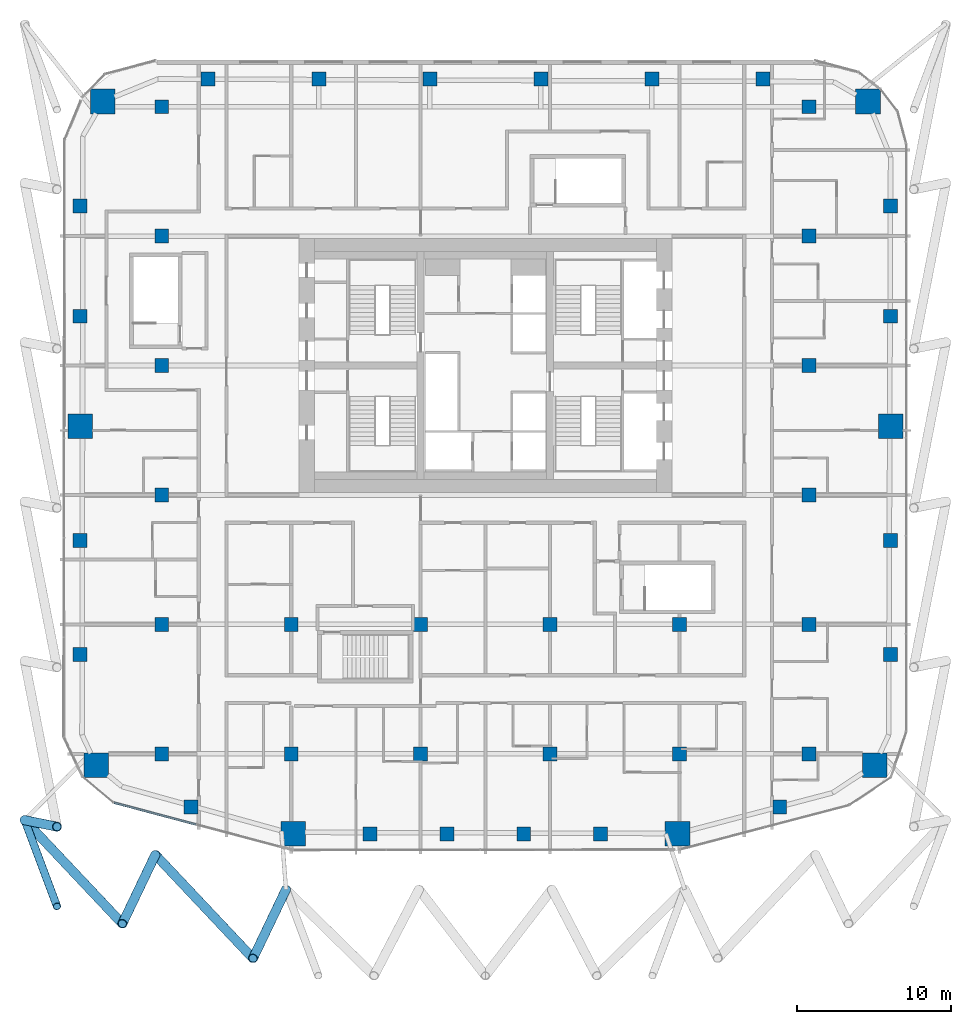
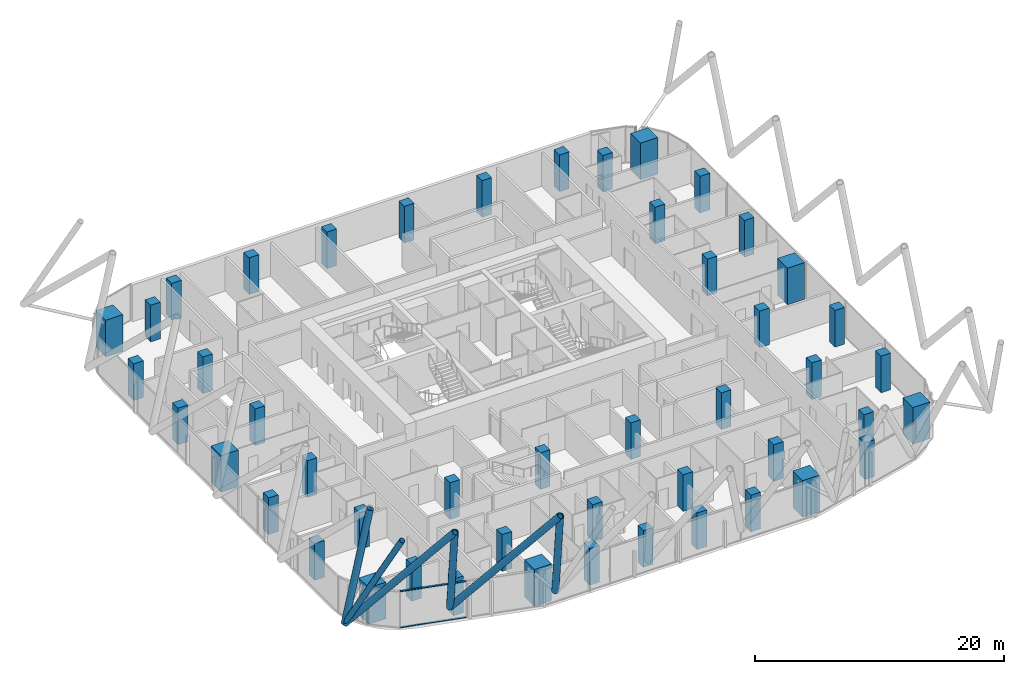
# One storey, part 1 of 34: 48 columns, 8 members, 1 element without a shape of its own.
"""IFC4 building model written with IfcOpenShell, lengths in metres."""

from ifc_helpers import new_model, si_unit, direction, frame, origin, origin_2d, place, context, subcontext, project, spatial, rectangle, hollow_circle, extrude, material, layer, layer_set, material_profile, profile_set, type_object, element, aggregate, save


model = new_model("IFC4")

# Units and contexts
model_context = context("Model", 3, precision=1e-05, world=origin(), true_north=direction((0.0, 1.0)))
body_context = subcontext(model_context, "Body", "Model", "MODEL_VIEW")
ifc_project = project(units=[si_unit("LENGTHUNIT", "METRE"), si_unit("AREAUNIT", "SQUARE_METRE"), si_unit("VOLUMEUNIT", "CUBIC_METRE"), si_unit("PLANEANGLEUNIT", "RADIAN"), si_unit("MASSUNIT", "GRAM", prefix="KILO")], contexts=[model_context])

# Site, building, storey
site_placement = place(None, origin())
site = spatial("IfcSite", under=ifc_project, at=site_placement, CompositionType="ELEMENT")
building_placement = place(site_placement, origin())
building = spatial("IfcBuilding", under=site, at=building_placement, Name="Marenta Gate Hotel Tower", CompositionType="ELEMENT")
storey_placement = place(building_placement, frame((0.0, 0.0, 166.10009765625)))
storey = spatial("IfcBuildingStorey", under=building, at=storey_placement, Name="L39", CompositionType="ELEMENT", Elevation=166.10009765625)

# Columns
ifc_material_1 = material(Name="Concrete C70", Category="concrete")
ifc_material_profile_1 = material_profile(ifc_material_1, rectangle(XDim=0.89990234375, YDim=0.89990234375, at=origin_2d()), Name="900 x 900")
ifc_profile_set_1 = profile_set([ifc_material_profile_1], Name="Concrete C70")
column_type_1 = type_object("IfcColumnType", Name="Edge column 900 x 900 C70", PredefinedType="COLUMN", material=ifc_profile_set_1)
for number, where, z_axis, x_axis, name in (
    (1, (-26.300048828125, -10.351806640625, 0.0), (0.0, 0.0, 1.0), (1.0, 0.0, 0.0), "L39-EC-SW-W-1"),
    (2, (-26.300048828125, -2.950927734375, 0.0), (0.0, 0.0, 1.0), (1.0, 0.0, 0.0), "L39-EC-SW-W-2"),
    (3, (-26.300048828125, 11.603271484375, 0.0), (0.0, 0.0, 1.0), (1.0, 0.0, 0.0), "L39-EC-W-NW-1"),
    (4, (-26.300048828125, 18.75634765625, 0.0), (0.0, 0.0, 1.0), (1.0, 0.0, 0.0), "L39-EC-W-NW-2"),
    (5, (-18.0068359375, 27.0, 0.0), (0.0, 0.0, 1.0), (1.0, 0.0, 0.0), "L39-EC-NW-NE-1"),
    (6, (-10.80419921875, 27.0, 0.0), (0.0, 0.0, 1.0), (1.0, 0.0, 0.0), "L39-EC-NW-NE-2"),
    (7, (-3.601318359375, 27.0, 0.0), (0.0, 0.0, 1.0), (1.0, 0.0, 0.0), "L39-EC-NW-NE-3"),
    (8, (3.601318359375, 27.0, 0.0), (0.0, 0.0, 1.0), (1.0, 0.0, 0.0), "L39-EC-NW-NE-4"),
    (9, (10.80419921875, 27.0, 0.0), (0.0, 0.0, 1.0), (1.0, 0.0, 0.0), "L39-EC-NW-NE-5"),
    (10, (18.0068359375, 27.0, 0.0), (0.0, 0.0, 1.0), (1.0, 0.0, 0.0), "L39-EC-NW-NE-6"),
    (11, (26.300048828125, 18.75634765625, 0.0), (0.0, 0.0, 1.0), (1.0, 0.0, 0.0), "L39-EC-NE-E-1"),
    (12, (26.300048828125, 11.603271484375, 0.0), (0.0, 0.0, 1.0), (1.0, 0.0, 0.0), "L39-EC-NE-E-2"),
    (13, (26.300048828125, -2.950927734375, 0.0), (0.0, 0.0, 1.0), (1.0, 0.0, 0.0), "L39-EC-E-SE-1"),
    (14, (26.300048828125, -10.351806640625, 0.0), (0.0, 0.0, 1.0), (1.0, 0.0, 0.0), "L39-EC-E-SE-2"),
    (15, (19.106689453125, -20.239013671875, 0.0), (0.0, 0.0, 1.0), (1.0, 0.0, 0.0), "L39-EC-SE-SKE-1"),
    (16, (7.47998046875, -22.0, 0.0), (0.0, 0.0, 1.0), (1.0, 0.0, 0.0), "L39-EC-SKE-SKW-1"),
    (17, (2.493408203125, -22.0, 0.0), (0.0, 0.0, 1.0), (1.0, 0.0, 0.0), "L39-EC-SKE-SKW-2"),
    (18, (-2.493408203125, -22.0, 0.0), (0.0, 0.0, 1.0), (1.0, 0.0, 0.0), "L39-EC-SKE-SKW-3"),
    (19, (-7.47998046875, -22.0, 0.0), (0.0, 0.0, 1.0), (1.0, 0.0, 0.0), "L39-EC-SKE-SKW-4"),
    (20, (-19.106689453125, -20.239013671875, 0.0), (0.0, 0.0, 1.0), (1.0, 0.0, 0.0), "L39-EC-SKW-SW-1"),
):
    element("IfcColumn", number, at=place(storey_placement, frame(where, z_axis=z_axis, x_axis=x_axis)), inside=storey, type_object=column_type_1, Name=name, PredefinedType="COLUMN", context=body_context, shape_type="SweptSolid", body=[
        extrude(rectangle(XDim=0.89990234375, YDim=0.89990234375, at=origin_2d()), origin(), (0.0, 0.0, 1.0), 3.599853515625),
    ])
ifc_material_2 = material(Name="Concrete C70", Category="concrete")
ifc_material_profile_2 = material_profile(ifc_material_2, rectangle(XDim=0.89990234375, YDim=0.89990234375, at=origin_2d()), Name="900 x 900")
ifc_profile_set_2 = profile_set([ifc_material_profile_2], Name="Concrete C70")
column_type_2 = type_object("IfcColumnType", Name="Interior column 900 x 900 C70", PredefinedType="COLUMN", material=ifc_profile_set_2)
for number, where, z_axis, x_axis, name in (
    (21, (-21.0, -16.800048828125, 0.0), (0.0, 0.0, 1.0), (1.0, 0.0, 0.0), "L39-IC-4D"),
    (22, (-21.0, -8.39990234375, 0.0), (0.0, 0.0, 1.0), (1.0, 0.0, 0.0), "L39-IC-4E"),
    (23, (-21.0, 0.0, 0.0), (0.0, 0.0, 1.0), (1.0, 0.0, 0.0), "L39-IC-4F"),
    (24, (-21.0, 8.39990234375, 0.0), (0.0, 0.0, 1.0), (1.0, 0.0, 0.0), "L39-IC-4G"),
    (25, (-21.0, 16.800048828125, 0.0), (0.0, 0.0, 1.0), (1.0, 0.0, 0.0), "L39-IC-4H"),
    (26, (-21.0, 25.199951171875, 0.0), (0.0, 0.0, 1.0), (1.0, 0.0, 0.0), "L39-IC-4I"),
    (27, (-12.60009765625, -16.800048828125, 0.0), (0.0, 0.0, 1.0), (1.0, 0.0, 0.0), "L39-IC-5D"),
    (28, (-12.60009765625, -8.39990234375, 0.0), (0.0, 0.0, 1.0), (1.0, 0.0, 0.0), "L39-IC-5E"),
    (29, (-4.199951171875, -16.800048828125, 0.0), (0.0, 0.0, 1.0), (1.0, 0.0, 0.0), "L39-IC-6D"),
    (30, (-4.199951171875, -8.39990234375, 0.0), (0.0, 0.0, 1.0), (1.0, 0.0, 0.0), "L39-IC-6E"),
    (31, (4.199951171875, -16.800048828125, 0.0), (0.0, 0.0, 1.0), (1.0, 0.0, 0.0), "L39-IC-7D"),
    (32, (4.199951171875, -8.39990234375, 0.0), (0.0, 0.0, 1.0), (1.0, 0.0, 0.0), "L39-IC-7E"),
    (33, (12.60009765625, -16.800048828125, 0.0), (0.0, 0.0, 1.0), (1.0, 0.0, 0.0), "L39-IC-8D"),
    (34, (12.60009765625, -8.39990234375, 0.0), (0.0, 0.0, 1.0), (1.0, 0.0, 0.0), "L39-IC-8E"),
    (35, (21.0, -16.800048828125, 0.0), (0.0, 0.0, 1.0), (1.0, 0.0, 0.0), "L39-IC-9D"),
    (36, (21.0, -8.39990234375, 0.0), (0.0, 0.0, 1.0), (1.0, 0.0, 0.0), "L39-IC-9E"),
    (37, (21.0, 0.0, 0.0), (0.0, 0.0, 1.0), (1.0, 0.0, 0.0), "L39-IC-9F"),
    (38, (21.0, 8.39990234375, 0.0), (0.0, 0.0, 1.0), (1.0, 0.0, 0.0), "L39-IC-9G"),
    (39, (21.0, 16.800048828125, 0.0), (0.0, 0.0, 1.0), (1.0, 0.0, 0.0), "L39-IC-9H"),
    (40, (21.0, 25.199951171875, 0.0), (0.0, 0.0, 1.0), (1.0, 0.0, 0.0), "L39-IC-9I"),
):
    element("IfcColumn", number, at=place(storey_placement, frame(where, z_axis=z_axis, x_axis=x_axis)), inside=storey, type_object=column_type_2, Name=name, PredefinedType="COLUMN", context=body_context, shape_type="SweptSolid", body=[
        extrude(rectangle(XDim=0.89990234375, YDim=0.89990234375, at=origin_2d()), origin(), (0.0, 0.0, 1.0), 3.599853515625),
    ])
ifc_material_3 = material(Name="Concrete C70", Category="concrete")
ifc_material_profile_3 = material_profile(ifc_material_3, rectangle(XDim=1.60009765625, YDim=1.60009765625, at=origin_2d()), Name="1600 x 1600")
ifc_profile_set_3 = profile_set([ifc_material_profile_3], Name="Concrete C70")
column_type_3 = type_object("IfcColumnType", Name="Mega column 1600 x 1600 C70", PredefinedType="COLUMN", material=ifc_profile_set_3)
for number, where, z_axis, x_axis, name in (
    (41, (-25.262939453125, -17.532958984375, 0.0), (0.0, 0.0, 1.0), (1.0, 0.0, 0.0), "L39-MC-SW"),
    (42, (-12.46630859375, -21.974853515625, 0.0), (0.0, 0.0, 1.0), (1.0, 0.0, 0.0), "L39-MC-SKW"),
    (43, (12.46630859375, -21.974853515625, 0.0), (0.0, 0.0, 1.0), (1.0, 0.0, 0.0), "L39-MC-SKE"),
    (44, (25.262939453125, -17.532958984375, 0.0), (0.0, 0.0, 1.0), (1.0, 0.0, 0.0), "L39-MC-SE"),
    (45, (26.300048828125, 4.449951171875, 0.0), (0.0, 0.0, 1.0), (1.0, 0.0, 0.0), "L39-MC-E"),
    (46, (24.83544921875, 25.535400390625, 0.0), (0.0, 0.0, 1.0), (1.0, 0.0, 0.0), "L39-MC-NE"),
    (47, (-24.83544921875, 25.535400390625, 0.0), (0.0, 0.0, 1.0), (1.0, 0.0, 0.0), "L39-MC-NW"),
    (48, (-26.300048828125, 4.449951171875, 0.0), (0.0, 0.0, 1.0), (1.0, 0.0, 0.0), "L39-MC-W"),
):
    element("IfcColumn", number, at=place(storey_placement, frame(where, z_axis=z_axis, x_axis=x_axis)), inside=storey, type_object=column_type_3, Name=name, PredefinedType="COLUMN", context=body_context, shape_type="SweptSolid", body=[
        extrude(rectangle(XDim=1.60009765625, YDim=1.60009765625, at=origin_2d()), origin(), (0.0, 0.0, 1.0), 3.599853515625),
    ])

# Members
ifc_material_4 = material(Name="Steel S355J2W", Category="steel")
ifc_material_profile_4 = material_profile(ifc_material_4, hollow_circle(Radius=0.25390625, WallThickness=0.02490234375, at=origin_2d()), Name="CHS 508x25")
ifc_profile_set_4 = profile_set([ifc_material_profile_4], Name="Steel S355J2W")
member_type_1 = type_object("IfcMemberType", Name="Diagrid corner post Z2 CHS 508x25", PredefinedType="POST", material=ifc_profile_set_4)
member_1_placement = place(storey_placement, frame((-29.89990234375, -21.10009765625, 3.139892578125), z_axis=(0.170090510133, -0.453614245022, 0.874816172162), x_axis=(0.936339242498, 0.351096600607, 0.0)))
element("IfcMember", 49, at=member_1_placement, inside=storey, type_object=member_type_1, Name="L39-DR-5", PredefinedType="POST", context=body_context, shape_type="SweptSolid", body=[
    extrude(hollow_circle(Radius=0.25390625, WallThickness=0.02490234375, at=origin_2d()), origin(), (0.0, 0.0, 1.0), 12.345458984375),
])
ifc_material_5 = material(Name="Steel S355J2W", Category="steel")
ifc_material_profile_5 = material_profile(ifc_material_5, hollow_circle(Radius=0.304931640625, WallThickness=0.0400390625, at=origin_2d()), Name="CHS 610x40")
ifc_profile_set_5 = profile_set([ifc_material_profile_5], Name="Steel S355J2W")
member_type_2 = type_object("IfcMemberType", Name="Diagrid diagonal T2 CHS 610x40", PredefinedType="BRACE", material=ifc_profile_set_5)
member_2_placement = place(storey_placement, frame((-12.93896484375, -25.60009765625, 3.139892578125), z_axis=(-0.180095167279, -0.376521537704, 0.908733878739), x_axis=(0.902115896599, -0.4314938112, 0.0)))
element("IfcMember", 50, at=member_2_placement, inside=storey, type_object=member_type_2, Name="L39-DG-21", PredefinedType="BRACE", context=body_context, shape_type="SweptSolid", body=[
    extrude(hollow_circle(Radius=0.304931640625, WallThickness=0.0400390625, at=origin_2d()), origin(), (0.0, 0.0, 1.0), 11.884765625),
])
member_3_placement = place(storey_placement, frame((-21.41943359375, -23.35009765625, 3.139892578125), z_axis=(0.446019219938, -0.473087119765, 0.759773277076), x_axis=(0.727615775516, 0.68598490014, 0.0)))
element("IfcMember", 51, at=member_3_placement, inside=storey, type_object=member_type_2, Name="L39-DG-22", PredefinedType="BRACE", context=body_context, shape_type="SweptSolid", body=[
    extrude(hollow_circle(Radius=0.304931640625, WallThickness=0.0400390625, at=origin_2d()), origin(), (0.0, 0.0, 1.0), 14.21484375),
])
member_4_placement = place(storey_placement, frame((-21.41943359375, -23.35009765625, 3.139892578125), z_axis=(-0.180093774283, -0.37653916763, 0.908726849887), x_axis=(0.902125059727, -0.431474653499, 0.0)))
element("IfcMember", 52, at=member_4_placement, inside=storey, type_object=member_type_2, Name="L39-DG-23", PredefinedType="BRACE", context=body_context, shape_type="SweptSolid", body=[
    extrude(hollow_circle(Radius=0.304931640625, WallThickness=0.0400390625, at=origin_2d()), origin(), (0.0, 0.0, 1.0), 11.884765625),
])
member_5_placement = place(storey_placement, frame((-29.89990234375, -21.10009765625, 3.139892578125), z_axis=(0.446015595876, -0.473100450691, 0.759767103652), x_axis=(0.727628205653, 0.685971715407, 0.0)))
element("IfcMember", 53, at=member_5_placement, inside=storey, type_object=member_type_2, Name="L39-DG-24", PredefinedType="BRACE", context=body_context, shape_type="SweptSolid", body=[
    extrude(hollow_circle(Radius=0.304931640625, WallThickness=0.0400390625, at=origin_2d()), origin(), (0.0, 0.0, 1.0), 14.21484375),
])
member_6_placement = place(storey_placement, frame((-29.89990234375, -21.10009765625, 3.139892578125), z_axis=(0.19071044896, -0.03904675045, 0.980869448977), x_axis=(0.200582587895, 0.979676796415, 0.0)))
element("IfcMember", 54, at=member_6_placement, inside=storey, type_object=member_type_2, Name="L39-DG-25", PredefinedType="BRACE", context=body_context, shape_type="SweptSolid", body=[
    extrude(hollow_circle(Radius=0.304931640625, WallThickness=0.0400390625, at=origin_2d()), origin(), (0.0, 0.0, 1.0), 11.0107421875),
])

# Curtain wall, members
ifc_material_6 = material(Name="Tinted insulated glass in bronze anodised frame", Category="glass")
ifc_layer = layer(ifc_material_6, 0.1201171875)
ifc_layer_set = layer_set([ifc_layer], Name="Tinted insulated glass in bronze anodised frame")
curtain_wall_type = type_object("IfcCurtainWallType", Name="Tower unitised curtain wall CW1", PredefinedType="NOTDEFINED", material=ifc_layer_set)
curtain_wall_placement = place(storey_placement, origin())
curtain_wall = element("IfcCurtainWall", 55, at=curtain_wall_placement, inside=storey, type_object=curtain_wall_type, Name="CW1 run G09", PredefinedType="NOTDEFINED")
ifc_material_7 = material(Name="Bronze anodised aluminium", Category="aluminium")
ifc_material_profile_6 = material_profile(ifc_material_7, rectangle(XDim=0.1201171875, YDim=0.06005859375, at=origin_2d()), Name="Transom CW1 60x120 bronze anodised aluminium")
ifc_profile_set_6 = profile_set([ifc_material_profile_6], Name="Bronze anodised aluminium")
member_type_3 = type_object("IfcMemberType", Name="Transom CW1 60x120 bronze anodised aluminium", PredefinedType="USERDEFINED", material=ifc_profile_set_6)
member_7_placement = place(storey_placement, frame((-24.095458984375, -19.963623046875, 0.02978515625), z_axis=(0.966369250889, -0.257158454918, 0.0), x_axis=(0.257158454918, 0.966369250889, 0.0)))
member_7 = element("IfcMember", 56, at=member_7_placement, type_object=member_type_3, Name="CW1 transom 1.1", ObjectType="TRANSOM", PredefinedType="USERDEFINED", context=body_context, shape_type="SweptSolid", body=[
    extrude(rectangle(XDim=0.1201171875, YDim=0.06005859375, at=origin_2d()), origin(), (0.0, 0.0, 1.0), 5.485595703125),
])
member_8_placement = place(storey_placement, frame((-24.095458984375, -19.963623046875, 3.56982421875), z_axis=(0.966369250889, -0.257158454918, 0.0), x_axis=(0.257158454918, 0.966369250889, 0.0)))
member_8 = element("IfcMember", 57, at=member_8_placement, type_object=member_type_3, Name="CW1 transom 1.2", ObjectType="TRANSOM", PredefinedType="USERDEFINED", context=body_context, shape_type="SweptSolid", body=[
    extrude(rectangle(XDim=0.1201171875, YDim=0.06005859375, at=origin_2d()), origin(), (0.0, 0.0, 1.0), 5.485595703125),
])
aggregate(curtain_wall, [member_7, member_8])

save(model, "model.ifc")
